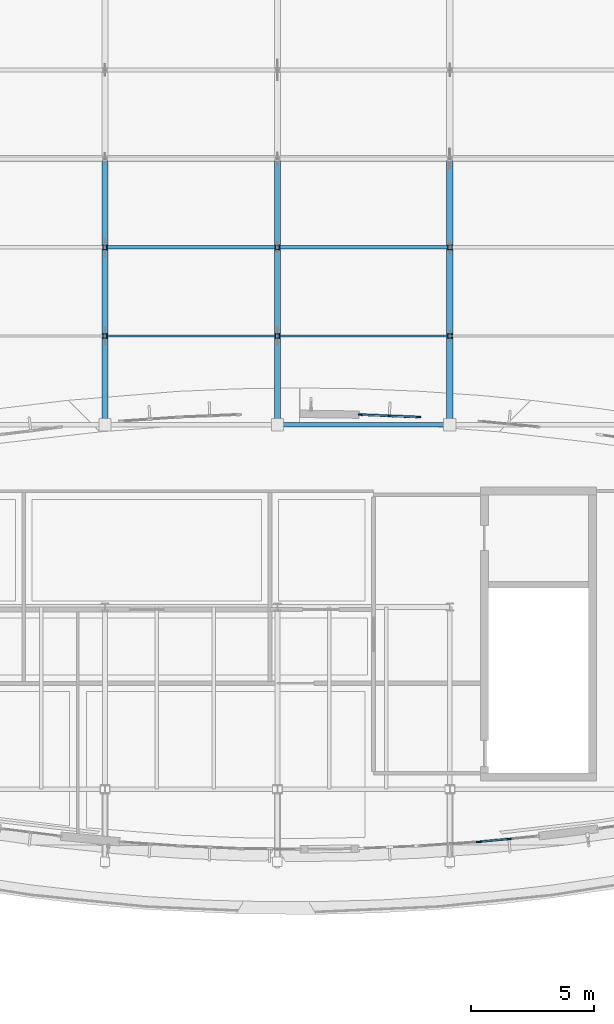
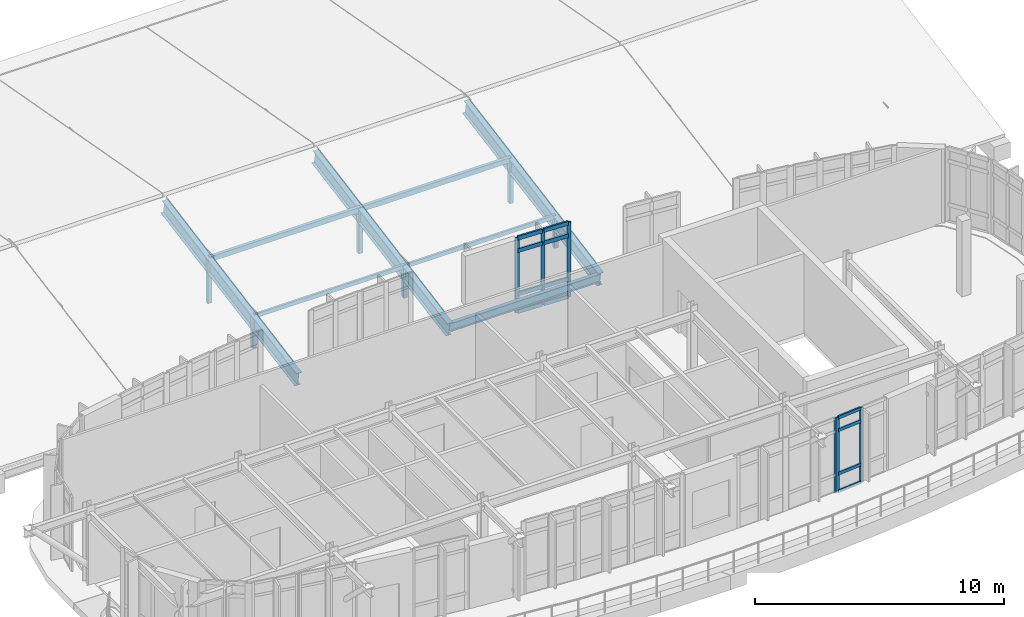
# One storey, part 33 of 105: 28 members, 4 beams, 3 elements without a shape of their own.
"""IFC4 building model written with IfcOpenShell, lengths in metres."""

from ifc_helpers import new_model, si_unit, direction, frame, origin, origin_2d, place, context, subcontext, project, spatial, rectangle, hollow_rectangle, i_section, extrude, material, material_profile, profile_set, type_object, element, aggregate, save


model = new_model("IFC4")

# Units and contexts
model_context = context("Model", 3, precision=1e-05, world=origin(), true_north=direction((0.0, 1.0)))
body_context = subcontext(model_context, "Body", "Model", "MODEL_VIEW")
ifc_project = project(units=[si_unit("LENGTHUNIT", "METRE"), si_unit("AREAUNIT", "SQUARE_METRE"), si_unit("VOLUMEUNIT", "CUBIC_METRE"), si_unit("PLANEANGLEUNIT", "RADIAN"), si_unit("MASSUNIT", "GRAM", prefix="KILO")], contexts=[model_context])

# Site, building, storey
site_placement = place(None, origin())
site = spatial("IfcSite", under=ifc_project, at=site_placement, CompositionType="ELEMENT")
building_placement = place(site_placement, origin())
building = spatial("IfcBuilding", under=site, at=building_placement, Name="Corveleigh Park Community Centre", CompositionType="ELEMENT")
storey_placement = place(building_placement, frame((0.0, 0.0, 8.699951171875)))
storey = spatial("IfcBuildingStorey", under=building, at=storey_placement, Name="L02", CompositionType="ELEMENT", Elevation=8.699951171875)

# Beams
ifc_material_1 = material(Name="Steel S355", Category="steel")
ifc_material_profile_1 = material_profile(ifc_material_1, i_section(OverallWidth=0.177978515625, OverallDepth=0.406494140625, WebThickness=0.0078125, FlangeThickness=0.0126953125, at=origin_2d()), Name="UKB 406x178x60", Category="steel")
ifc_profile_set_1 = profile_set([ifc_material_profile_1], Name="Steel S355")
beam_type_1 = type_object("IfcBeamType", Name="BM-STL-UKB406x60", PredefinedType="BEAM", material=ifc_profile_set_1)
beam_placement = place(storey_placement, frame((32.205078125, 92.800048828125, 0.716796875), z_axis=(1.0, 0.0, 0.0), x_axis=(0.0, 1.0, 0.0)))
element("IfcBeam", 1, at=beam_placement, inside=storey, type_object=beam_type_1, Name="V2 Eave Tie Beam", PredefinedType="BEAM", context=body_context, shape_type="SweptSolid", body=[
    extrude(i_section(OverallWidth=0.177978515625, OverallDepth=0.406494140625, WebThickness=0.0078125, FlangeThickness=0.0126953125, at=origin_2d()), origin(), (0.0, 0.0, 1.0), 6.989990234375),
])
ifc_material_profile_2 = material_profile(ifc_material_1, i_section(OverallWidth=0.25439453125, OverallDepth=0.6875, WebThickness=0.01318359375, FlangeThickness=0.02099609375, at=origin_2d()), Name="UKB 686x254x152", Category="steel")
ifc_profile_set_2 = profile_set([ifc_material_profile_2], Name="Steel S355")
beam_type_2 = type_object("IfcBeamType", Name="BM-STL-UKB686x152", PredefinedType="BEAM", material=ifc_profile_set_2)
for number, where, z_axis, x_axis, name in (
    (2, (25.199951171875, 92.800048828125, 0.59814453125), (0.0, 0.984084889599, 0.177698987231), (-1.0, 0.0, 0.0), "V2 Portal Rafter S3"),
    (3, (32.199951171875, 92.800048828125, 0.59814453125), (0.0, 0.984084889599, 0.177698987231), (-1.0, 0.0, 0.0), "V2 Portal Rafter S4"),
    (4, (39.199951171875, 92.800048828125, 0.59814453125), (0.0, 0.984084889599, 0.177698987231), (-1.0, 0.0, 0.0), "V2 Portal Rafter S5"),
):
    element("IfcBeam", number, at=place(storey_placement, frame(where, z_axis=z_axis, x_axis=x_axis)), inside=storey, type_object=beam_type_2, Name=name, PredefinedType="BEAM", context=body_context, shape_type="SweptSolid", body=[
        extrude(i_section(OverallWidth=0.25439453125, OverallDepth=0.6875, WebThickness=0.01318359375, FlangeThickness=0.02099609375, at=origin_2d()), origin(), (0.0, 0.0, 1.0), 10.974609375),
    ])

# Curtain wall, member
ifc_material_2 = material(Name="Anodised aluminium 6063-T6", Category="aluminium")
curtain_wall_type = type_object("IfcCurtainWallType", Name="CW-SYS-V2-HALL", PredefinedType="NOTDEFINED", material=ifc_material_2)
curtain_wall_1_placement = place(storey_placement, origin())
curtain_wall_1 = element("IfcCurtainWall", 5, at=curtain_wall_1_placement, inside=storey, type_object=curtain_wall_type, Name="V2 L02 Curtain Wall 307", PredefinedType="NOTDEFINED")
ifc_material_profile_3 = material_profile(ifc_material_2, rectangle(XDim=0.06005859375, YDim=0.159912109375, at=origin_2d()), Name="ALU-M60x160", Category="aluminium")
ifc_profile_set_3 = profile_set([ifc_material_profile_3], Name="Anodised aluminium 6063-T6")
member_type_1 = type_object("IfcMemberType", Name="CWM-60x160", PredefinedType="MULLION", material=ifc_profile_set_3)
member_1_placement = place(storey_placement, frame((40.34814453125, 75.85888671875, 0.0), z_axis=(0.0, 0.0, 1.0), x_axis=(0.068773654486, -0.997632289197, 0.0)))
member_1 = element("IfcMember", 6, at=member_1_placement, type_object=member_type_1, Name="CW04 mullion 1", PredefinedType="MULLION", context=body_context, shape_type="SweptSolid", body=[
    extrude(rectangle(XDim=0.06005859375, YDim=0.159912109375, at=origin_2d()), origin(), (0.0, 0.0, 1.0), 3.679931640625),
])
aggregate(curtain_wall_1, [member_1])

# Curtain wall, members
curtain_wall_2_placement = place(storey_placement, origin())
curtain_wall_2 = element("IfcCurtainWall", 7, at=curtain_wall_2_placement, inside=storey, type_object=curtain_wall_type, Name="V2 L02 Curtain Wall 308", PredefinedType="NOTDEFINED")
ifc_material_profile_4 = material_profile(ifc_material_2, rectangle(XDim=0.06494140625, YDim=0.179931640625, at=origin_2d()), Name="ALU-M65x180", Category="aluminium")
ifc_profile_set_4 = profile_set([ifc_material_profile_4], Name="Anodised aluminium 6063-T6")
member_type_2 = type_object("IfcMemberType", Name="CWM-65x180", PredefinedType="MULLION", material=ifc_profile_set_4)
member_2_placement = place(storey_placement, frame((41.596923828125, 75.97900390625, 0.0), z_axis=(0.0, 0.0, 1.0), x_axis=(0.096138785108, -0.995367939004, 0.0)))
member_2 = element("IfcMember", 8, at=member_2_placement, type_object=member_type_2, Name="CW04 mullion 2", PredefinedType="MULLION", context=body_context, shape_type="SweptSolid", body=[
    extrude(rectangle(XDim=0.06494140625, YDim=0.179931640625, at=origin_2d()), origin(), (0.0, 0.0, 1.0), 3.679931640625),
])
member_3_placement = place(storey_placement, frame((40.428466796875, 75.8662109375, 0.0), z_axis=(0.0, 0.0, 1.0), x_axis=(0.096138785108, -0.995367939004, 0.0)))
member_3 = element("IfcMember", 9, at=member_3_placement, type_object=member_type_2, Name="CW04 mullion 3", PredefinedType="MULLION", context=body_context, shape_type="SweptSolid", body=[
    extrude(rectangle(XDim=0.06494140625, YDim=0.179931640625, at=origin_2d()), origin(), (0.0, 0.0, 1.0), 3.679931640625),
])

curtain_wall_3_placement = place(storey_placement, origin())
curtain_wall_3 = element("IfcCurtainWall", 10, at=curtain_wall_3_placement, inside=storey, type_object=curtain_wall_type, Name="V2 L02 Curtain Wall 320", PredefinedType="NOTDEFINED")
member_4_placement = place(storey_placement, frame((35.572509765625, 93.20556640625, 0.0), z_axis=(0.0, 0.0, 1.0), x_axis=(0.041837300215, 0.99912443685, 0.0)))
member_4 = element("IfcMember", 11, at=member_4_placement, type_object=member_type_2, Name="CW04 mullion 1", PredefinedType="MULLION", context=body_context, shape_type="SweptSolid", body=[
    extrude(rectangle(XDim=0.06494140625, YDim=0.179931640625, at=origin_2d()), origin(), (0.0, 0.0, 1.0), 3.679931640625),
])
member_5_placement = place(storey_placement, frame((36.74609375, 93.156494140625, 0.0), z_axis=(0.0, 0.0, 1.0), x_axis=(0.041837300215, 0.99912443685, 0.0)))
member_5 = element("IfcMember", 12, at=member_5_placement, type_object=member_type_2, Name="CW04 mullion 2", PredefinedType="MULLION", context=body_context, shape_type="SweptSolid", body=[
    extrude(rectangle(XDim=0.06494140625, YDim=0.179931640625, at=origin_2d()), origin(), (0.0, 0.0, 1.0), 3.679931640625),
])
member_6_placement = place(storey_placement, frame((37.91943359375, 93.107421875, 0.0), z_axis=(0.0, 0.0, 1.0), x_axis=(0.041837300215, 0.99912443685, 0.0)))
member_6 = element("IfcMember", 13, at=member_6_placement, type_object=member_type_2, Name="CW04 mullion 3", PredefinedType="MULLION", context=body_context, shape_type="SweptSolid", body=[
    extrude(rectangle(XDim=0.06494140625, YDim=0.179931640625, at=origin_2d()), origin(), (0.0, 0.0, 1.0), 3.679931640625),
])

# Member
ifc_material_profile_5 = material_profile(ifc_material_2, rectangle(XDim=0.070068359375, YDim=0.155029296875, at=origin_2d()), Name="ALU-T70x155", Category="aluminium")
ifc_profile_set_5 = profile_set([ifc_material_profile_5], Name="Anodised aluminium 6063-T6")
member_type_3 = type_object("IfcMemberType", Name="CWT-70x155", PredefinedType="USERDEFINED", material=ifc_profile_set_5)
member_7_placement = place(storey_placement, frame((41.564697265625, 75.975830078125, 0.03515625), z_axis=(-0.995362939212, -0.096190536142, 0.0), x_axis=(0.096190536142, -0.995362939212, 0.0)))
member_7 = element("IfcMember", 14, at=member_7_placement, type_object=member_type_3, Name="CW04 transom 2.1", ObjectType="TRANSOM", PredefinedType="USERDEFINED", context=body_context, shape_type="SweptSolid", body=[
    extrude(rectangle(XDim=0.070068359375, YDim=0.155029296875, at=origin_2d()), origin(), (0.0, 0.0, 1.0), 1.109130859375),
])

member_8_placement = place(storey_placement, frame((41.564697265625, 75.975830078125, 0.900146484375), z_axis=(-0.995362939212, -0.096190536142, 0.0), x_axis=(0.096190536142, -0.995362939212, 0.0)))
member_8 = element("IfcMember", 15, at=member_8_placement, type_object=member_type_3, Name="CW04 transom 2.2", ObjectType="TRANSOM", PredefinedType="USERDEFINED", context=body_context, shape_type="SweptSolid", body=[
    extrude(rectangle(XDim=0.070068359375, YDim=0.155029296875, at=origin_2d()), origin(), (0.0, 0.0, 1.0), 1.109130859375),
])

member_9_placement = place(storey_placement, frame((41.564697265625, 75.975830078125, 3.030029296875), z_axis=(-0.995362939212, -0.096190536142, 0.0), x_axis=(0.096190536142, -0.995362939212, 0.0)))
member_9 = element("IfcMember", 16, at=member_9_placement, type_object=member_type_3, Name="CW04 transom 2.3", ObjectType="TRANSOM", PredefinedType="USERDEFINED", context=body_context, shape_type="SweptSolid", body=[
    extrude(rectangle(XDim=0.070068359375, YDim=0.155029296875, at=origin_2d()), origin(), (0.0, 0.0, 1.0), 1.109130859375),
])

member_10_placement = place(storey_placement, frame((41.564697265625, 75.975830078125, 3.64501953125), z_axis=(-0.995362939212, -0.096190536142, 0.0), x_axis=(0.096190536142, -0.995362939212, 0.0)))
member_10 = element("IfcMember", 17, at=member_10_placement, type_object=member_type_3, Name="CW04 transom 2.4", ObjectType="TRANSOM", PredefinedType="USERDEFINED", context=body_context, shape_type="SweptSolid", body=[
    extrude(rectangle(XDim=0.070068359375, YDim=0.155029296875, at=origin_2d()), origin(), (0.0, 0.0, 1.0), 1.109130859375),
])

aggregate(curtain_wall_2, [member_2, member_3, member_7, member_8, member_9, member_10])

ifc_material_profile_6 = material_profile(ifc_material_2, rectangle(XDim=0.080078125, YDim=0.195068359375, at=origin_2d()), Name="ALU-T80x195", Category="aluminium")
ifc_profile_set_6 = profile_set([ifc_material_profile_6], Name="Anodised aluminium 6063-T6")
member_type_4 = type_object("IfcMemberType", Name="CWT-80x195", PredefinedType="USERDEFINED", material=ifc_profile_set_6)
member_11_placement = place(storey_placement, frame((35.60498046875, 93.204345703125, 0.0400390625), z_axis=(0.999125812827, -0.041804427315, 0.0), x_axis=(0.041804427315, 0.999125812827, 0.0)))
member_11 = element("IfcMember", 18, at=member_11_placement, type_object=member_type_4, Name="CW04 transom 1.1", ObjectType="TRANSOM", PredefinedType="USERDEFINED", context=body_context, shape_type="SweptSolid", body=[
    extrude(rectangle(XDim=0.080078125, YDim=0.195068359375, at=origin_2d()), origin(), (0.0, 0.0, 1.0), 1.109619140625),
])

member_12_placement = place(storey_placement, frame((35.60498046875, 93.204345703125, 0.900146484375), z_axis=(0.999125812827, -0.041804427315, 0.0), x_axis=(0.041804427315, 0.999125812827, 0.0)))
member_12 = element("IfcMember", 19, at=member_12_placement, type_object=member_type_4, Name="CW04 transom 1.2", ObjectType="TRANSOM", PredefinedType="USERDEFINED", context=body_context, shape_type="SweptSolid", body=[
    extrude(rectangle(XDim=0.080078125, YDim=0.195068359375, at=origin_2d()), origin(), (0.0, 0.0, 1.0), 1.109619140625),
])

member_13_placement = place(storey_placement, frame((35.60498046875, 93.204345703125, 3.030029296875), z_axis=(0.999125812827, -0.041804427315, 0.0), x_axis=(0.041804427315, 0.999125812827, 0.0)))
member_13 = element("IfcMember", 20, at=member_13_placement, type_object=member_type_4, Name="CW04 transom 1.3", ObjectType="TRANSOM", PredefinedType="USERDEFINED", context=body_context, shape_type="SweptSolid", body=[
    extrude(rectangle(XDim=0.080078125, YDim=0.195068359375, at=origin_2d()), origin(), (0.0, 0.0, 1.0), 1.109619140625),
])

member_14_placement = place(storey_placement, frame((35.60498046875, 93.204345703125, 3.64013671875), z_axis=(0.999125812827, -0.041804427315, 0.0), x_axis=(0.041804427315, 0.999125812827, 0.0)))
member_14 = element("IfcMember", 21, at=member_14_placement, type_object=member_type_4, Name="CW04 transom 1.4", ObjectType="TRANSOM", PredefinedType="USERDEFINED", context=body_context, shape_type="SweptSolid", body=[
    extrude(rectangle(XDim=0.080078125, YDim=0.195068359375, at=origin_2d()), origin(), (0.0, 0.0, 1.0), 1.109619140625),
])

member_15_placement = place(storey_placement, frame((36.778564453125, 93.155029296875, 0.0400390625), z_axis=(0.999125428185, -0.041813619241, 0.0), x_axis=(0.041813619241, 0.999125428185, 0.0)))
member_15 = element("IfcMember", 22, at=member_15_placement, type_object=member_type_4, Name="CW04 transom 2.1", ObjectType="TRANSOM", PredefinedType="USERDEFINED", context=body_context, shape_type="SweptSolid", body=[
    extrude(rectangle(XDim=0.080078125, YDim=0.195068359375, at=origin_2d()), origin(), (0.0, 0.0, 1.0), 1.109375),
])

member_16_placement = place(storey_placement, frame((36.778564453125, 93.155029296875, 0.900146484375), z_axis=(0.999125428185, -0.041813619241, 0.0), x_axis=(0.041813619241, 0.999125428185, 0.0)))
member_16 = element("IfcMember", 23, at=member_16_placement, type_object=member_type_4, Name="CW04 transom 2.2", ObjectType="TRANSOM", PredefinedType="USERDEFINED", context=body_context, shape_type="SweptSolid", body=[
    extrude(rectangle(XDim=0.080078125, YDim=0.195068359375, at=origin_2d()), origin(), (0.0, 0.0, 1.0), 1.109375),
])

member_17_placement = place(storey_placement, frame((36.778564453125, 93.155029296875, 3.030029296875), z_axis=(0.999125428185, -0.041813619241, 0.0), x_axis=(0.041813619241, 0.999125428185, 0.0)))
member_17 = element("IfcMember", 24, at=member_17_placement, type_object=member_type_4, Name="CW04 transom 2.3", ObjectType="TRANSOM", PredefinedType="USERDEFINED", context=body_context, shape_type="SweptSolid", body=[
    extrude(rectangle(XDim=0.080078125, YDim=0.195068359375, at=origin_2d()), origin(), (0.0, 0.0, 1.0), 1.109375),
])

member_18_placement = place(storey_placement, frame((36.778564453125, 93.155029296875, 3.64013671875), z_axis=(0.999125428185, -0.041813619241, 0.0), x_axis=(0.041813619241, 0.999125428185, 0.0)))
member_18 = element("IfcMember", 25, at=member_18_placement, type_object=member_type_4, Name="CW04 transom 2.4", ObjectType="TRANSOM", PredefinedType="USERDEFINED", context=body_context, shape_type="SweptSolid", body=[
    extrude(rectangle(XDim=0.080078125, YDim=0.195068359375, at=origin_2d()), origin(), (0.0, 0.0, 1.0), 1.109375),
])

aggregate(curtain_wall_3, [member_4, member_5, member_6, member_11, member_12, member_13, member_14, member_15, member_16, member_17, member_18])

# Members
ifc_material_profile_7 = material_profile(ifc_material_1, hollow_rectangle(XDim=0.10009765625, YDim=0.199951171875, WallThickness=0.008056640625, at=origin_2d()), Name="RHS 200x100x8.0", Category="steel")
ifc_profile_set_7 = profile_set([ifc_material_profile_7], Name="Steel S355")
member_type_5 = type_object("IfcMemberType", Name="MEM-PRL-RHS200", PredefinedType="PURLIN", material=ifc_profile_set_7)
for number, where, z_axis, x_axis, name in (
    (26, (25.199951171875, 96.39990234375, 1.51513671875), (1.0, 0.0, 0.0), (0.0, 1.0, 0.0), "V2 Hall Roof Purlin"),
    (27, (32.199951171875, 96.39990234375, 1.51513671875), (1.0, 0.0, 0.0), (0.0, 1.0, 0.0), "V2 Hall Roof Purlin"),
):
    element("IfcMember", number, at=place(storey_placement, frame(where, z_axis=z_axis, x_axis=x_axis)), inside=storey, type_object=member_type_5, Name=name, PredefinedType="PURLIN", context=body_context, shape_type="SweptSolid", body=[
        extrude(hollow_rectangle(XDim=0.10009765625, YDim=0.199951171875, WallThickness=0.008056640625, at=origin_2d()), origin(), (0.0, 0.0, 1.0), 7.0),
    ])
ifc_material_profile_8 = material_profile(ifc_material_1, hollow_rectangle(XDim=0.14990234375, YDim=0.25, WallThickness=0.010009765625, at=origin_2d()), Name="RHS 250x150x10.0", Category="steel")
ifc_profile_set_8 = profile_set([ifc_material_profile_8], Name="Steel S355")
member_type_6 = type_object("IfcMemberType", Name="MEM-PRL-RHS250", PredefinedType="PURLIN", material=ifc_profile_set_8)
for number, where, z_axis, x_axis, name in (
    (28, (25.199951171875, 100.0, 2.14013671875), (1.0, 0.0, 0.0), (0.0, 1.0, 0.0), "V2 Hall Roof Purlin"),
    (29, (32.199951171875, 100.0, 2.14013671875), (1.0, 0.0, 0.0), (0.0, 1.0, 0.0), "V2 Hall Roof Purlin"),
):
    element("IfcMember", number, at=place(storey_placement, frame(where, z_axis=z_axis, x_axis=x_axis)), inside=storey, type_object=member_type_6, Name=name, PredefinedType="PURLIN", context=body_context, shape_type="SweptSolid", body=[
        extrude(hollow_rectangle(XDim=0.14990234375, YDim=0.25, WallThickness=0.010009765625, at=origin_2d()), origin(), (0.0, 0.0, 1.0), 7.0),
    ])
ifc_material_profile_9 = material_profile(ifc_material_1, hollow_rectangle(XDim=0.179931640625, YDim=0.179931640625, WallThickness=0.010009765625, at=origin_2d()), Name="SHS 180x180x10.0", Category="steel")
ifc_profile_set_9 = profile_set([ifc_material_profile_9], Name="Steel S355")
member_type_7 = type_object("IfcMemberType", Name="MEM-STR-SHS180I", PredefinedType="STRUT", material=ifc_profile_set_9)
member_19_placement = place(storey_placement, frame((25.199951171875, 96.39990234375, 0.0), z_axis=(0.0, 0.0, 1.0), x_axis=(1.0, 0.0, 0.0)))
element("IfcMember", 30, at=member_19_placement, inside=storey, type_object=member_type_7, Name="V2 Truss 3 Hanger Post", PredefinedType="STRUT", context=body_context, shape_type="SweptSolid", body=[
    extrude(hollow_rectangle(XDim=0.179931640625, YDim=0.179931640625, WallThickness=0.010009765625, at=origin_2d()), origin(), (0.0, 0.0, 1.0), 1.5),
])
member_20_placement = place(storey_placement, frame((25.199951171875, 100.0, 0.0), z_axis=(0.0, 0.0, 1.0), x_axis=(1.0, 0.0, 0.0)))
element("IfcMember", 31, at=member_20_placement, inside=storey, type_object=member_type_7, Name="V2 Truss 3 Hanger Post", PredefinedType="STRUT", context=body_context, shape_type="SweptSolid", body=[
    extrude(hollow_rectangle(XDim=0.179931640625, YDim=0.179931640625, WallThickness=0.010009765625, at=origin_2d()), origin(), (0.0, 0.0, 1.0), 2.150146484375),
])
member_21_placement = place(storey_placement, frame((32.199951171875, 96.39990234375, 0.0), z_axis=(0.0, 0.0, 1.0), x_axis=(1.0, 0.0, 0.0)))
element("IfcMember", 32, at=member_21_placement, inside=storey, type_object=member_type_7, Name="V2 Truss 4 Hanger Post", PredefinedType="STRUT", context=body_context, shape_type="SweptSolid", body=[
    extrude(hollow_rectangle(XDim=0.179931640625, YDim=0.179931640625, WallThickness=0.010009765625, at=origin_2d()), origin(), (0.0, 0.0, 1.0), 1.5),
])
member_22_placement = place(storey_placement, frame((32.199951171875, 100.0, 0.0), z_axis=(0.0, 0.0, 1.0), x_axis=(1.0, 0.0, 0.0)))
element("IfcMember", 33, at=member_22_placement, inside=storey, type_object=member_type_7, Name="V2 Truss 4 Hanger Post", PredefinedType="STRUT", context=body_context, shape_type="SweptSolid", body=[
    extrude(hollow_rectangle(XDim=0.179931640625, YDim=0.179931640625, WallThickness=0.010009765625, at=origin_2d()), origin(), (0.0, 0.0, 1.0), 2.150146484375),
])
member_23_placement = place(storey_placement, frame((39.199951171875, 96.39990234375, 0.0), z_axis=(0.0, 0.0, 1.0), x_axis=(1.0, 0.0, 0.0)))
element("IfcMember", 34, at=member_23_placement, inside=storey, type_object=member_type_7, Name="V2 Truss 5 Hanger Post", PredefinedType="STRUT", context=body_context, shape_type="SweptSolid", body=[
    extrude(hollow_rectangle(XDim=0.179931640625, YDim=0.179931640625, WallThickness=0.010009765625, at=origin_2d()), origin(), (0.0, 0.0, 1.0), 1.5),
])
member_24_placement = place(storey_placement, frame((39.199951171875, 100.0, 0.0), z_axis=(0.0, 0.0, 1.0), x_axis=(1.0, 0.0, 0.0)))
element("IfcMember", 35, at=member_24_placement, inside=storey, type_object=member_type_7, Name="V2 Truss 5 Hanger Post", PredefinedType="STRUT", context=body_context, shape_type="SweptSolid", body=[
    extrude(hollow_rectangle(XDim=0.179931640625, YDim=0.179931640625, WallThickness=0.010009765625, at=origin_2d()), origin(), (0.0, 0.0, 1.0), 2.150146484375),
])

save(model, "model.ifc")
